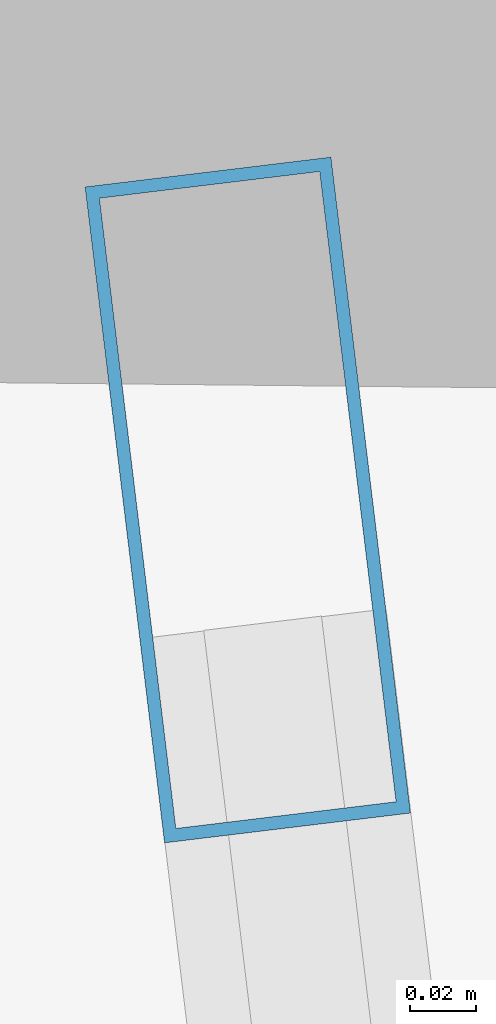
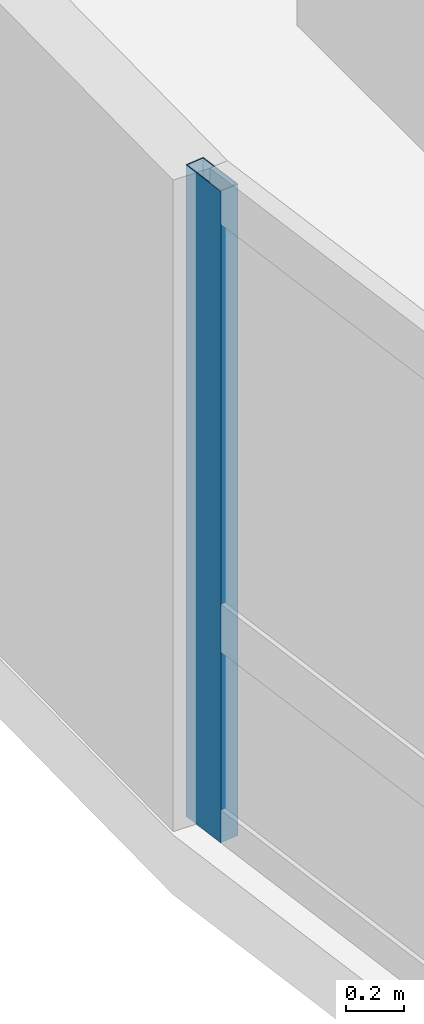
# One storey, part 8 of 23: 1 member, 1 element without a shape of its own.
"""IFC4 building model written with IfcOpenShell, lengths in metres."""

from ifc_helpers import new_model, si_unit, direction, frame, origin, origin_2d, place, context, subcontext, project, spatial, hollow_rectangle, extrude, material, layer, layer_set, material_profile, profile_set, type_object, element, aggregate, save


model = new_model("IFC4")

# Units and contexts
model_context = context("Model", 3, precision=1e-05, world=origin(), true_north=direction((0.0, 1.0)))
body_context = subcontext(model_context, "Body", "Model", "MODEL_VIEW")
ifc_project = project(units=[si_unit("LENGTHUNIT", "METRE"), si_unit("AREAUNIT", "SQUARE_METRE"), si_unit("VOLUMEUNIT", "CUBIC_METRE"), si_unit("PLANEANGLEUNIT", "RADIAN"), si_unit("MASSUNIT", "GRAM", prefix="KILO")], contexts=[model_context])

# Site, building, storey
site_placement = place(None, origin())
site = spatial("IfcSite", under=ifc_project, at=site_placement, CompositionType="ELEMENT")
building_placement = place(site_placement, origin())
building = spatial("IfcBuilding", under=site, at=building_placement, Name="Varnelok Gate Tower", CompositionType="ELEMENT")
storey_placement = place(building_placement, frame((0.0, 0.0, 193.10009765625)))
storey = spatial("IfcBuildingStorey", under=building, at=storey_placement, Name="L49", CompositionType="ELEMENT", Elevation=193.10009765625)

# Curtain wall, member
ifc_material = material(Name="Anodized Aluminum Alloy 6063-T6", Category="aluminium")
ifc_layer = layer(ifc_material, 0.179931640625)
ifc_layer_set = layer_set([ifc_layer], Name="Anodized Aluminum Alloy 6063-T6")
curtain_wall_type = type_object("IfcCurtainWallType", Name="CW4-RESIDENCE-VISION", PredefinedType="USERDEFINED", material=ifc_layer_set)
curtain_wall_placement = place(storey_placement, origin())
curtain_wall = element("IfcCurtainWall", 1, at=curtain_wall_placement, inside=storey, type_object=curtain_wall_type, Name="L49 West End Vision Curtain Wall", ObjectType="UNITISED CURTAIN WALL", PredefinedType="USERDEFINED")
ifc_material_profile = material_profile(ifc_material, hollow_rectangle(XDim=0.074951171875, YDim=0.199951171875, WallThickness=0.00390625, at=origin_2d()), Name="ALU200X75X4")
ifc_profile_set = profile_set([ifc_material_profile], Name="Anodized Aluminum Alloy 6063-T6")
member_type = type_object("IfcMemberType", Name="CW-MULL-200", PredefinedType="MULLION", material=ifc_profile_set)
member_placement = place(storey_placement, frame((2.290283203125, 37.610107421875, 0.0), z_axis=(0.0, 0.0, 1.0), x_axis=(-0.992732188751, -0.120344511371, 0.0)))
member = element("IfcMember", 2, at=member_placement, type_object=member_type, Name="CW4 mullion 6", PredefinedType="MULLION", context=body_context, shape_type="SweptSolid", body=[
    extrude(hollow_rectangle(XDim=0.074951171875, YDim=0.199951171875, WallThickness=0.00390625, at=origin_2d()), origin(), (0.0, 0.0, 1.0), 2.72998046875),
])
aggregate(curtain_wall, [member])

save(model, "model.ifc")
